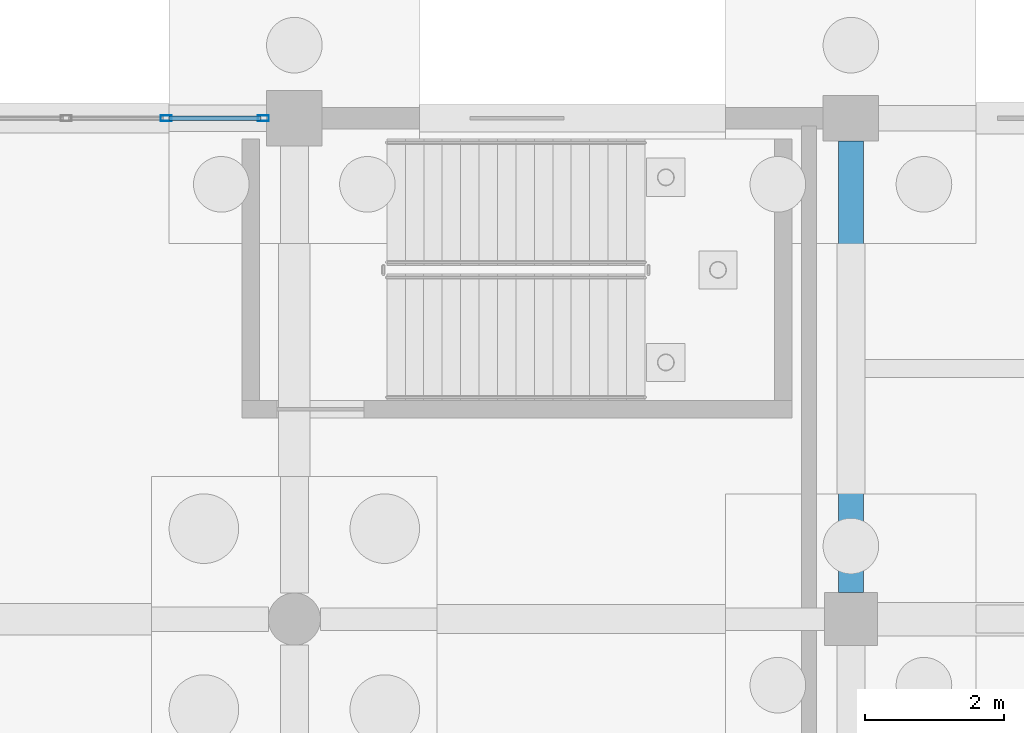
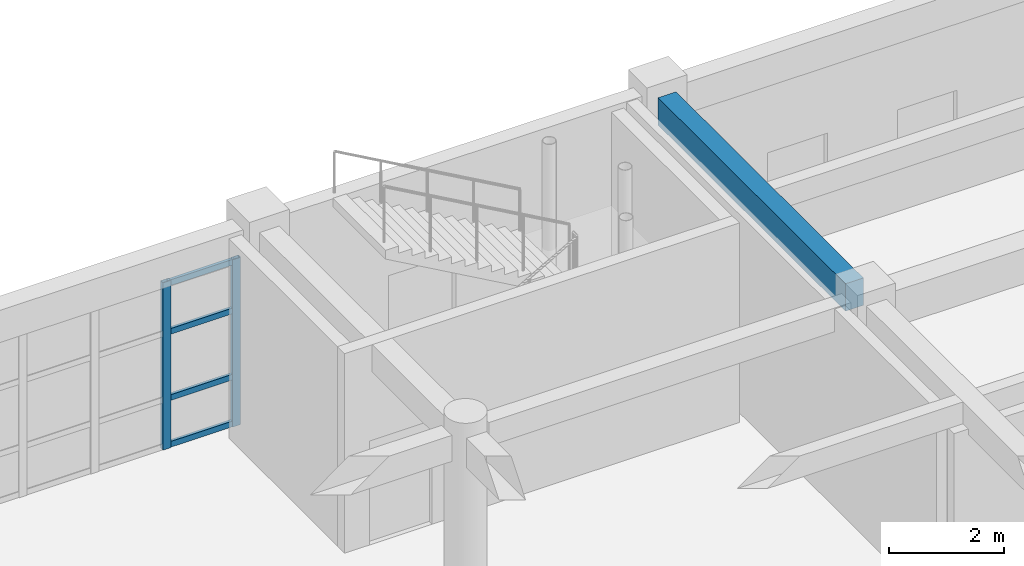
# One storey, part 101 of 166: 6 members, 1 beam, 1 element without a shape of its own.
"""IFC4 building model written with IfcOpenShell, lengths in metres."""

from ifc_helpers import new_model, si_unit, direction, frame, origin, origin_2d, place, context, subcontext, project, spatial, rectangle, hollow_rectangle, extrude, material, material_profile, profile_set, type_object, element, aggregate, save


model = new_model("IFC4")

# Units and contexts
model_context = context("Model", 3, precision=1e-05, world=origin(), true_north=direction((0.0, 1.0)))
body_context = subcontext(model_context, "Body", "Model", "MODEL_VIEW")
ifc_project = project(units=[si_unit("LENGTHUNIT", "METRE"), si_unit("AREAUNIT", "SQUARE_METRE"), si_unit("VOLUMEUNIT", "CUBIC_METRE"), si_unit("PLANEANGLEUNIT", "RADIAN"), si_unit("MASSUNIT", "GRAM", prefix="KILO")], contexts=[model_context])

# Site, building, storey
site_placement = place(None, origin())
site = spatial("IfcSite", under=ifc_project, at=site_placement, CompositionType="ELEMENT")
building_placement = place(site_placement, origin())
building = spatial("IfcBuilding", under=site, at=building_placement, Name="Kharva Crest Polytechnic", CompositionType="ELEMENT")
storey_placement = place(building_placement, origin())
storey = spatial("IfcBuildingStorey", under=building, at=storey_placement, Name="L00", CompositionType="ELEMENT", Elevation=0.0)

# Beam
ifc_material_1 = material(Name="Concrete C35/45", Category="concrete")
ifc_material_profile_1 = material_profile(ifc_material_1, rectangle(XDim=0.360107421875, YDim=0.580078125, at=origin_2d()), Name="RECT 360 X 580")
ifc_profile_set_1 = profile_set([ifc_material_profile_1], Name="Concrete C35/45")
beam_type = type_object("IfcBeamType", Name="BM-RC-360X580", PredefinedType="BEAM", material=ifc_profile_set_1)
beam_placement = place(storey_placement, frame((152.800048828125, 115.179931640625, 3.929931640625), z_axis=(0.0, 1.0, 0.0), x_axis=(-1.0, 0.0, 0.0)))
element("IfcBeam", 1, at=beam_placement, inside=storey, type_object=beam_type, Name="L00 Girder 20/R-S", PredefinedType="BEAM", context=body_context, shape_type="SweptSolid", body=[
    extrude(rectangle(XDim=0.360107421875, YDim=0.580078125, at=origin_2d()), origin(), (0.0, 0.0, 1.0), 6.4951171875),
])

# Curtain wall, members
ifc_material_2 = material(Name="Tempered insulated glass", Category="glass")
curtain_wall_type = type_object("IfcCurtainWallType", Name="CW-SYS-COURT", PredefinedType="USERDEFINED", material=ifc_material_2)
curtain_wall_placement = place(storey_placement, origin())
curtain_wall = element("IfcCurtainWall", 2, at=curtain_wall_placement, inside=storey, type_object=curtain_wall_type, Name="L00 Glazed Curtain Wall CW-023", ObjectType="CURTAIN WALL", PredefinedType="USERDEFINED")
ifc_material_3 = material(Name="Steel S355", Category="steel")
ifc_material_profile_2 = material_profile(ifc_material_3, hollow_rectangle(XDim=0.080078125, YDim=0.159912109375, WallThickness=0.0048828125, at=origin_2d()), Name="RHS 160X80X5.0")
ifc_profile_set_2 = profile_set([ifc_material_profile_2], Name="Steel S355")
member_type_1 = type_object("IfcMemberType", Name="CWM-RHS160X80", PredefinedType="MULLION", material=ifc_profile_set_2)
member_1_placement = place(storey_placement, frame((144.35498046875, 122.0, 0.0), z_axis=(0.0, 0.0, 1.0), x_axis=(0.0, -1.0, 0.0)))
member_1 = element("IfcMember", 3, at=member_1_placement, type_object=member_type_1, Name="CW-023 mullion 1", PredefinedType="MULLION", context=body_context, shape_type="SweptSolid", body=[
    extrude(hollow_rectangle(XDim=0.080078125, YDim=0.159912109375, WallThickness=0.0048828125, at=origin_2d()), origin(), (0.0, 0.0, 1.0), 3.5400390625),
])
member_2_placement = place(storey_placement, frame((142.95703125, 122.0, 0.0), z_axis=(0.0, 0.0, 1.0), x_axis=(0.0, -1.0, 0.0)))
member_2 = element("IfcMember", 4, at=member_2_placement, type_object=member_type_1, Name="CW-023 mullion 2", PredefinedType="MULLION", context=body_context, shape_type="SweptSolid", body=[
    extrude(hollow_rectangle(XDim=0.080078125, YDim=0.159912109375, WallThickness=0.0048828125, at=origin_2d()), origin(), (0.0, 0.0, 1.0), 3.5400390625),
])
ifc_material_profile_3 = material_profile(ifc_material_3, hollow_rectangle(XDim=0.06005859375, YDim=0.1201171875, WallThickness=0.00390625, at=origin_2d()), Name="RHS 120X60X4.0")
ifc_profile_set_3 = profile_set([ifc_material_profile_3], Name="Steel S355")
member_type_2 = type_object("IfcMemberType", Name="CWT-RHS120X60", PredefinedType="USERDEFINED", material=ifc_profile_set_3)
member_3_placement = place(storey_placement, frame((144.31494140625, 122.0, 0.06005859375), z_axis=(-1.0, 0.0, 0.0), x_axis=(0.0, -1.0, 0.0)))
member_3 = element("IfcMember", 5, at=member_3_placement, type_object=member_type_2, Name="CW-023 transom 1.1", ObjectType="TRANSOM", PredefinedType="USERDEFINED", context=body_context, shape_type="SweptSolid", body=[
    extrude(hollow_rectangle(XDim=0.06005859375, YDim=0.1201171875, WallThickness=0.00390625, at=origin_2d()), origin(), (0.0, 0.0, 1.0), 1.31787109375),
])
member_4_placement = place(storey_placement, frame((144.31494140625, 122.0, 1.050048828125), z_axis=(-1.0, 0.0, 0.0), x_axis=(0.0, -1.0, 0.0)))
member_4 = element("IfcMember", 6, at=member_4_placement, type_object=member_type_2, Name="CW-023 transom 1.2", ObjectType="TRANSOM", PredefinedType="USERDEFINED", context=body_context, shape_type="SweptSolid", body=[
    extrude(hollow_rectangle(XDim=0.06005859375, YDim=0.1201171875, WallThickness=0.00390625, at=origin_2d()), origin(), (0.0, 0.0, 1.0), 1.31787109375),
])
member_5_placement = place(storey_placement, frame((144.31494140625, 122.0, 2.449951171875), z_axis=(-1.0, 0.0, 0.0), x_axis=(0.0, -1.0, 0.0)))
member_5 = element("IfcMember", 7, at=member_5_placement, type_object=member_type_2, Name="CW-023 transom 1.3", ObjectType="TRANSOM", PredefinedType="USERDEFINED", context=body_context, shape_type="SweptSolid", body=[
    extrude(hollow_rectangle(XDim=0.06005859375, YDim=0.1201171875, WallThickness=0.00390625, at=origin_2d()), origin(), (0.0, 0.0, 1.0), 1.31787109375),
])
member_6_placement = place(storey_placement, frame((144.31494140625, 122.0, 3.47998046875), z_axis=(-1.0, 0.0, 0.0), x_axis=(0.0, -1.0, 0.0)))
member_6 = element("IfcMember", 8, at=member_6_placement, type_object=member_type_2, Name="CW-023 transom 1.4", ObjectType="TRANSOM", PredefinedType="USERDEFINED", context=body_context, shape_type="SweptSolid", body=[
    extrude(hollow_rectangle(XDim=0.06005859375, YDim=0.1201171875, WallThickness=0.00390625, at=origin_2d()), origin(), (0.0, 0.0, 1.0), 1.31787109375),
])
aggregate(curtain_wall, [member_1, member_2, member_3, member_4, member_5, member_6])

save(model, "model.ifc")
